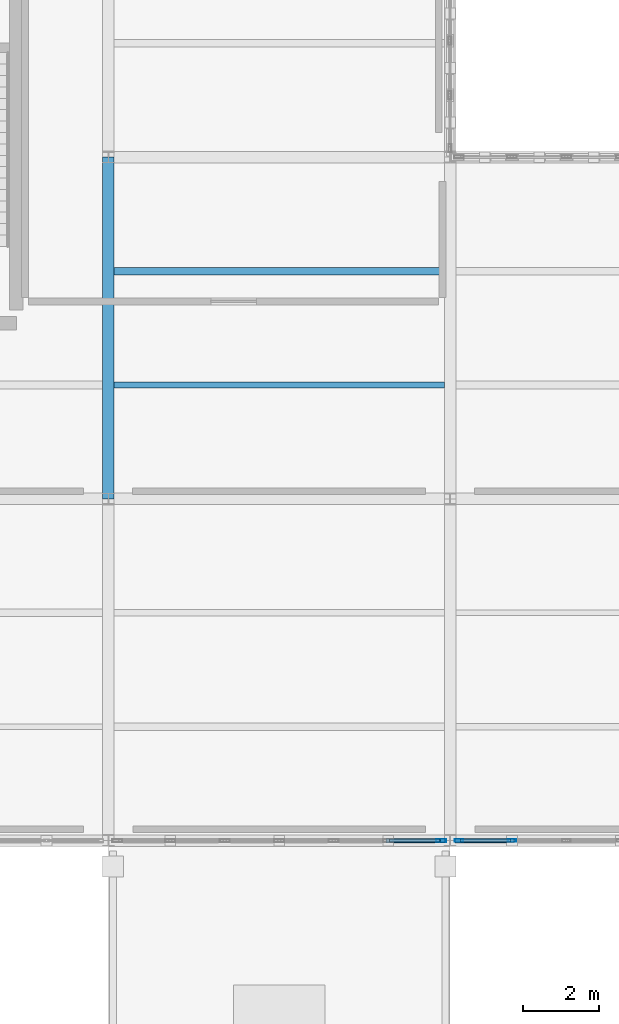
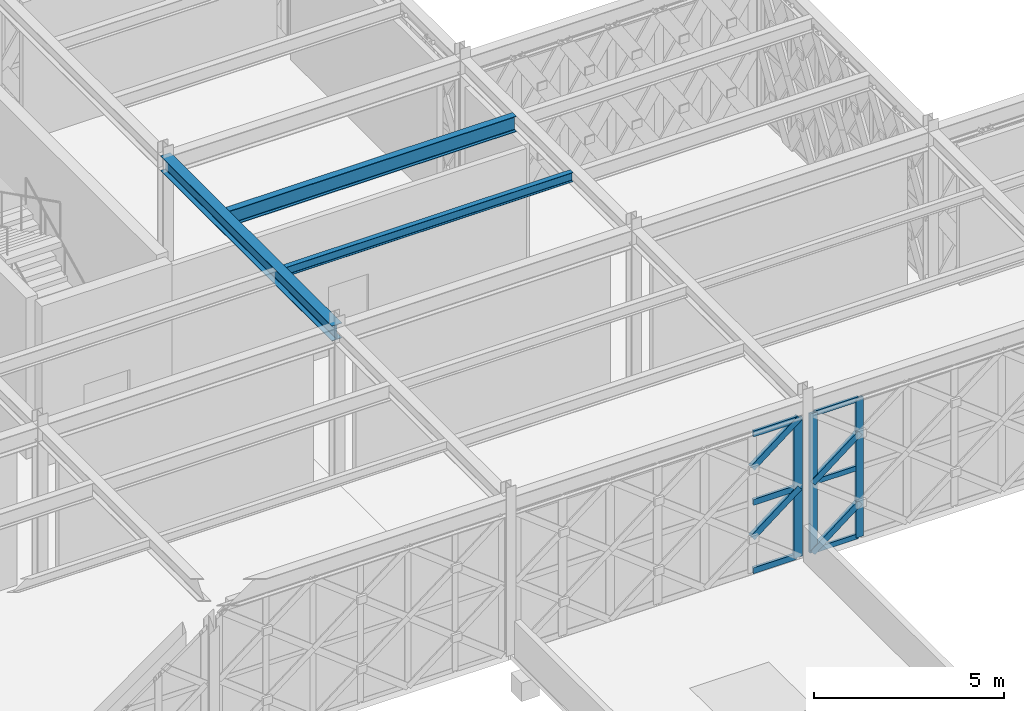
# One storey, part 105 of 155: 13 members, 3 beams, 2 elements without a shape of their own.
"""IFC4 building model written with IfcOpenShell, lengths in metres."""

from ifc_helpers import new_model, si_unit, direction, frame, origin, origin_2d, place, context, subcontext, project, spatial, hollow_rectangle, i_section, extrude, material, material_profile, profile_set, type_object, element, aggregate, save


model = new_model("IFC4")

# Units and contexts
model_context = context("Model", 3, precision=1e-05, world=origin(), true_north=direction((0.0, 1.0)))
body_context = subcontext(model_context, "Body", "Model", "MODEL_VIEW")
ifc_project = project(units=[si_unit("LENGTHUNIT", "METRE"), si_unit("AREAUNIT", "SQUARE_METRE"), si_unit("VOLUMEUNIT", "CUBIC_METRE"), si_unit("PLANEANGLEUNIT", "RADIAN"), si_unit("MASSUNIT", "GRAM", prefix="KILO")], contexts=[model_context])

# Site, building, storey
site_placement = place(None, origin())
site = spatial("IfcSite", under=ifc_project, at=site_placement, CompositionType="ELEMENT")
building_placement = place(site_placement, origin())
building = spatial("IfcBuilding", under=site, at=building_placement, Name="Haizhuo Lancet Aquarium", CompositionType="ELEMENT")
storey_placement = place(building_placement, frame((0.0, 0.0, 10.800048828125)))
storey = spatial("IfcBuildingStorey", under=building, at=storey_placement, Name="L02", CompositionType="ELEMENT", Elevation=10.800048828125)

# Beam
ifc_material_1 = material(Name="Steel S355", Category="steel")
ifc_material_profile_1 = material_profile(ifc_material_1, i_section(OverallWidth=0.300048828125, OverallDepth=0.488037109375, WebThickness=0.010986328125, FlangeThickness=0.01806640625, FilletRadius=0.02392578125, at=origin_2d()), Name="HM 488x300x11x18")
ifc_profile_set_1 = profile_set([ifc_material_profile_1], Name="Steel S355")
beam_type_1 = type_object("IfcBeamType", Name="BM-ST-HM488", PredefinedType="BEAM", material=ifc_profile_set_1)
beam_1_placement = place(storey_placement, frame((54.0, 18.0, 4.805908203125), z_axis=(0.0, 1.0, 0.0), x_axis=(-1.0, 0.0, 0.0)))
element("IfcBeam", 1, at=beam_1_placement, inside=storey, type_object=beam_type_1, Name="L02 V7 primary girder BM-L02-V7-016", PredefinedType="BEAM", context=body_context, shape_type="SweptSolid", body=[
    extrude(i_section(OverallWidth=0.300048828125, OverallDepth=0.488037109375, WebThickness=0.010986328125, FlangeThickness=0.01806640625, FilletRadius=0.02392578125, at=origin_2d()), origin(), (0.0, 0.0, 1.0), 9.0),
])

# Curtain wall, members
ifc_material_2 = material(Name="Aluminium 6063-T6", Category="aluminium")
curtain_wall_type = type_object("IfcCurtainWallType", Name="CWO-8610x4460", PredefinedType="NOTDEFINED", material=ifc_material_2)
curtain_wall_1_placement = place(storey_placement, origin())
curtain_wall_1 = element("IfcCurtainWall", 2, at=curtain_wall_1_placement, inside=storey, type_object=curtain_wall_type, Name="L02 curtain wall CW-V7-L02-305", PredefinedType="NOTDEFINED")
ifc_material_profile_2 = material_profile(ifc_material_2, hollow_rectangle(XDim=0.074951171875, YDim=0.219970703125, WallThickness=0.0048828125, at=origin_2d()), Name="ALU-M 75x220x5")
ifc_profile_set_2 = profile_set([ifc_material_profile_2], Name="Aluminium 6063-T6")
member_type_1 = type_object("IfcMemberType", Name="CW-MUL-2", PredefinedType="MULLION", material=ifc_profile_set_2)
member_1_placement = place(storey_placement, frame((64.6298828125, 9.0, 0.0), z_axis=(0.0, 0.0, 1.0), x_axis=(0.0, -1.0, 0.0)))
member_1 = element("IfcMember", 3, at=member_1_placement, type_object=member_type_1, Name="CWO-86x44 mullion 6", PredefinedType="MULLION", context=body_context, shape_type="SweptSolid", body=[
    extrude(hollow_rectangle(XDim=0.074951171875, YDim=0.219970703125, WallThickness=0.0048828125, at=origin_2d()), origin(), (0.0, 0.0, 1.0), 4.4619140625),
])
member_2_placement = place(storey_placement, frame((63.23291015625, 9.0, 0.0), z_axis=(0.0, 0.0, 1.0), x_axis=(0.0, -1.0, 0.0)))
member_2 = element("IfcMember", 4, at=member_2_placement, type_object=member_type_1, Name="CWO-86x44 mullion 7", PredefinedType="MULLION", context=body_context, shape_type="SweptSolid", body=[
    extrude(hollow_rectangle(XDim=0.074951171875, YDim=0.219970703125, WallThickness=0.0048828125, at=origin_2d()), origin(), (0.0, 0.0, 1.0), 4.4619140625),
])

# Curtain wall, member
curtain_wall_2_placement = place(storey_placement, origin())
curtain_wall_2 = element("IfcCurtainWall", 5, at=curtain_wall_2_placement, inside=storey, type_object=curtain_wall_type, Name="L02 curtain wall CW-V7-L02-306", PredefinedType="NOTDEFINED")
ifc_material_profile_3 = material_profile(ifc_material_2, hollow_rectangle(XDim=0.080078125, YDim=0.260009765625, WallThickness=0.0048828125, at=origin_2d()), Name="ALU-M 80x260x5")
ifc_profile_set_3 = profile_set([ifc_material_profile_3], Name="Aluminium 6063-T6")
member_type_2 = type_object("IfcMemberType", Name="CW-MUL-3", PredefinedType="MULLION", material=ifc_profile_set_3)
member_3_placement = place(storey_placement, frame((62.764892578125, 9.0, 0.0), z_axis=(0.0, 0.0, 1.0), x_axis=(0.0, -1.0, 0.0)))
member_3 = element("IfcMember", 6, at=member_3_placement, type_object=member_type_2, Name="CWO-86x44 mullion 1", PredefinedType="MULLION", context=body_context, shape_type="SweptSolid", body=[
    extrude(hollow_rectangle(XDim=0.080078125, YDim=0.260009765625, WallThickness=0.0048828125, at=origin_2d()), origin(), (0.0, 0.0, 1.0), 4.4619140625),
])

# Member
ifc_material_profile_4 = material_profile(ifc_material_2, hollow_rectangle(XDim=0.074951171875, YDim=0.159912109375, WallThickness=0.00390625, at=origin_2d()), Name="ALU-T 75x160x4")
ifc_profile_set_4 = profile_set([ifc_material_profile_4], Name="Aluminium 6063-T6")
member_type_3 = type_object("IfcMemberType", Name="CW-TRN-2", PredefinedType="NOTDEFINED", material=ifc_profile_set_4)
member_4_placement = place(storey_placement, frame((64.593017578125, 9.0, 0.037841796875), z_axis=(-1.0, 0.0, 0.0), x_axis=(0.0, -1.0, 0.0)))
member_4 = element("IfcMember", 7, at=member_4_placement, type_object=member_type_3, Name="CWO-86x44 transom 6.1", ObjectType="TRANSOM", PredefinedType="USERDEFINED", context=body_context, shape_type="SweptSolid", body=[
    extrude(hollow_rectangle(XDim=0.074951171875, YDim=0.159912109375, WallThickness=0.00390625, at=origin_2d()), origin(), (0.0, 0.0, 1.0), 1.322998046875),
])

member_5_placement = place(storey_placement, frame((64.593017578125, 9.0, 2.23095703125), z_axis=(-1.0, 0.0, 0.0), x_axis=(0.0, -1.0, 0.0)))
member_5 = element("IfcMember", 8, at=member_5_placement, type_object=member_type_3, Name="CWO-86x44 transom 6.2", ObjectType="TRANSOM", PredefinedType="USERDEFINED", context=body_context, shape_type="SweptSolid", body=[
    extrude(hollow_rectangle(XDim=0.074951171875, YDim=0.159912109375, WallThickness=0.00390625, at=origin_2d()), origin(), (0.0, 0.0, 1.0), 1.322998046875),
])

member_6_placement = place(storey_placement, frame((64.593017578125, 9.0, 4.425048828125), z_axis=(-1.0, 0.0, 0.0), x_axis=(0.0, -1.0, 0.0)))
member_6 = element("IfcMember", 9, at=member_6_placement, type_object=member_type_3, Name="CWO-86x44 transom 6.3", ObjectType="TRANSOM", PredefinedType="USERDEFINED", context=body_context, shape_type="SweptSolid", body=[
    extrude(hollow_rectangle(XDim=0.074951171875, YDim=0.159912109375, WallThickness=0.00390625, at=origin_2d()), origin(), (0.0, 0.0, 1.0), 1.322998046875),
])

aggregate(curtain_wall_1, [member_1, member_2, member_4, member_5, member_6])

ifc_material_profile_5 = material_profile(ifc_material_2, hollow_rectangle(XDim=0.080078125, YDim=0.18994140625, WallThickness=0.0048828125, at=origin_2d()), Name="ALU-T 80x190x5")
ifc_profile_set_5 = profile_set([ifc_material_profile_5], Name="Aluminium 6063-T6")
member_type_4 = type_object("IfcMemberType", Name="CW-TRN-3", PredefinedType="NOTDEFINED", material=ifc_profile_set_5)
member_7_placement = place(storey_placement, frame((62.72509765625, 9.0, 0.0400390625), z_axis=(-1.0, 0.0, 0.0), x_axis=(0.0, -1.0, 0.0)))
member_7 = element("IfcMember", 10, at=member_7_placement, type_object=member_type_4, Name="CWO-86x44 transom 1.1", ObjectType="TRANSOM", PredefinedType="USERDEFINED", context=body_context, shape_type="SweptSolid", body=[
    extrude(hollow_rectangle(XDim=0.080078125, YDim=0.18994140625, WallThickness=0.0048828125, at=origin_2d()), origin(), (0.0, 0.0, 1.0), 1.315185546875),
])

member_8_placement = place(storey_placement, frame((62.72509765625, 9.0, 2.23095703125), z_axis=(-1.0, 0.0, 0.0), x_axis=(0.0, -1.0, 0.0)))
member_8 = element("IfcMember", 11, at=member_8_placement, type_object=member_type_4, Name="CWO-86x44 transom 1.2", ObjectType="TRANSOM", PredefinedType="USERDEFINED", context=body_context, shape_type="SweptSolid", body=[
    extrude(hollow_rectangle(XDim=0.080078125, YDim=0.18994140625, WallThickness=0.0048828125, at=origin_2d()), origin(), (0.0, 0.0, 1.0), 1.315185546875),
])

member_9_placement = place(storey_placement, frame((62.72509765625, 9.0, 4.421875), z_axis=(-1.0, 0.0, 0.0), x_axis=(0.0, -1.0, 0.0)))
member_9 = element("IfcMember", 12, at=member_9_placement, type_object=member_type_4, Name="CWO-86x44 transom 1.3", ObjectType="TRANSOM", PredefinedType="USERDEFINED", context=body_context, shape_type="SweptSolid", body=[
    extrude(hollow_rectangle(XDim=0.080078125, YDim=0.18994140625, WallThickness=0.0048828125, at=origin_2d()), origin(), (0.0, 0.0, 1.0), 1.315185546875),
])

aggregate(curtain_wall_2, [member_3, member_7, member_8, member_9])

# Beams
ifc_material_profile_6 = material_profile(ifc_material_1, i_section(OverallWidth=0.14990234375, OverallDepth=0.300048828125, WebThickness=0.006591796875, FlangeThickness=0.009033203125, FilletRadius=0.012939453125, at=origin_2d()), Name="HN 300x150x6.5x9")
ifc_profile_set_6 = profile_set([ifc_material_profile_6], Name="Steel S355")
beam_type_2 = type_object("IfcBeamType", Name="JST-ST-HN300", PredefinedType="JOIST", material=ifc_profile_set_6)
beam_2_placement = place(storey_placement, frame((54.14990234375, 21.0, 4.89990234375), z_axis=(1.0, 0.0, 0.0), x_axis=(0.0, 1.0, 0.0)))
element("IfcBeam", 13, at=beam_2_placement, inside=storey, type_object=beam_type_2, Name="L02 V7 secondary floor joist 11", PredefinedType="JOIST", context=body_context, shape_type="SweptSolid", body=[
    extrude(i_section(OverallWidth=0.14990234375, OverallDepth=0.300048828125, WebThickness=0.006591796875, FlangeThickness=0.009033203125, FilletRadius=0.012939453125, at=origin_2d()), origin(), (0.0, 0.0, 1.0), 8.7001953125),
])
ifc_material_profile_7 = material_profile(ifc_material_1, i_section(OverallWidth=0.199951171875, OverallDepth=0.5, WebThickness=0.010009765625, FlangeThickness=0.01611328125, FilletRadius=0.02001953125, at=origin_2d()), Name="HN 500x200x10x16")
ifc_profile_set_7 = profile_set([ifc_material_profile_7], Name="Steel S355")
beam_type_3 = type_object("IfcBeamType", Name="JST-ST-HN500", PredefinedType="JOIST", material=ifc_profile_set_7)
beam_3_placement = place(storey_placement, frame((54.14990234375, 24.0, 4.800048828125), z_axis=(1.0, 0.0, 0.0), x_axis=(0.0, 1.0, 0.0)))
element("IfcBeam", 14, at=beam_3_placement, inside=storey, type_object=beam_type_3, Name="L02 V7 secondary floor joist 12", PredefinedType="JOIST", context=body_context, shape_type="SweptSolid", body=[
    extrude(i_section(OverallWidth=0.199951171875, OverallDepth=0.5, WebThickness=0.010009765625, FlangeThickness=0.01611328125, FilletRadius=0.02001953125, at=origin_2d()), origin(), (0.0, 0.0, 1.0), 8.7001953125),
])

# Members
ifc_material_profile_8 = material_profile(ifc_material_1, hollow_rectangle(XDim=0.1201171875, YDim=0.199951171875, WallThickness=0.008056640625, at=origin_2d()), Name="RHS 120x200x8")
ifc_profile_set_8 = profile_set([ifc_material_profile_8], Name="Steel S355")
member_type_5 = type_object("IfcMemberType", Name="MEM-LB-RHS120x200", PredefinedType="BRACE", material=ifc_profile_set_8)
member_10_placement = place(storey_placement, frame((63.195068359375, 9.0, 0.0), z_axis=(0.789352217376, 0.0, 0.613940613515), x_axis=(0.0, 1.0, 0.0)))
element("IfcMember", 15, at=member_10_placement, inside=storey, type_object=member_type_5, Name="Gothic lancet split diagonal brace CW-V7-L02-305 5B1", PredefinedType="BRACE", context=body_context, shape_type="SweptSolid", body=[
    extrude(hollow_rectangle(XDim=0.1201171875, YDim=0.199951171875, WallThickness=0.008056640625, at=origin_2d()), origin(), (0.0, 0.0, 1.0), 1.817626953125),
])
for number, where, z_axis, x_axis, name in (
    (16, (63.195068359375, 9.0, 2.23095703125), (0.789612591073, 0.0, 0.613605700771), (0.0, 1.0, 0.0), "Gothic lancet split diagonal brace CW-V7-L02-305 6B1"),
    (17, (61.3701171875, 9.0, 1.115966796875), (0.789612591073, 0.0, 0.613605700771), (0.0, 1.0, 0.0), "Gothic lancet split diagonal brace CW-V7-L02-306 1B2"),
):
    element("IfcMember", number, at=place(storey_placement, frame(where, z_axis=z_axis, x_axis=x_axis)), inside=storey, type_object=member_type_5, Name=name, PredefinedType="BRACE", context=body_context, shape_type="SweptSolid", body=[
        extrude(hollow_rectangle(XDim=0.1201171875, YDim=0.199951171875, WallThickness=0.008056640625, at=origin_2d()), origin(), (0.0, 0.0, 1.0), 1.817138671875),
    ])
member_11_placement = place(storey_placement, frame((61.3701171875, 9.0, 3.345947265625), z_axis=(0.789352217376, 0.0, 0.613940613515), x_axis=(0.0, 1.0, 0.0)))
element("IfcMember", 18, at=member_11_placement, inside=storey, type_object=member_type_5, Name="Gothic lancet split diagonal brace CW-V7-L02-306 2B2", PredefinedType="BRACE", context=body_context, shape_type="SweptSolid", body=[
    extrude(hollow_rectangle(XDim=0.1201171875, YDim=0.199951171875, WallThickness=0.008056640625, at=origin_2d()), origin(), (0.0, 0.0, 1.0), 1.817626953125),
])

save(model, "model.ifc")
